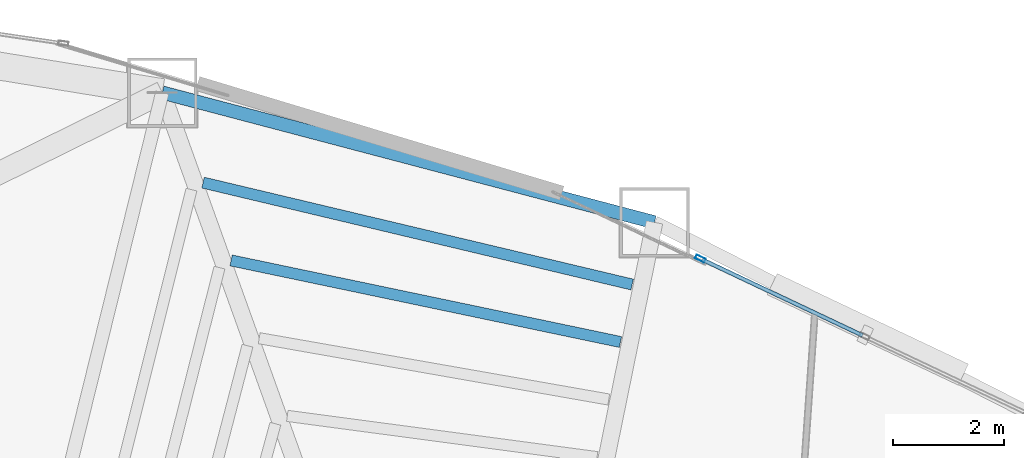
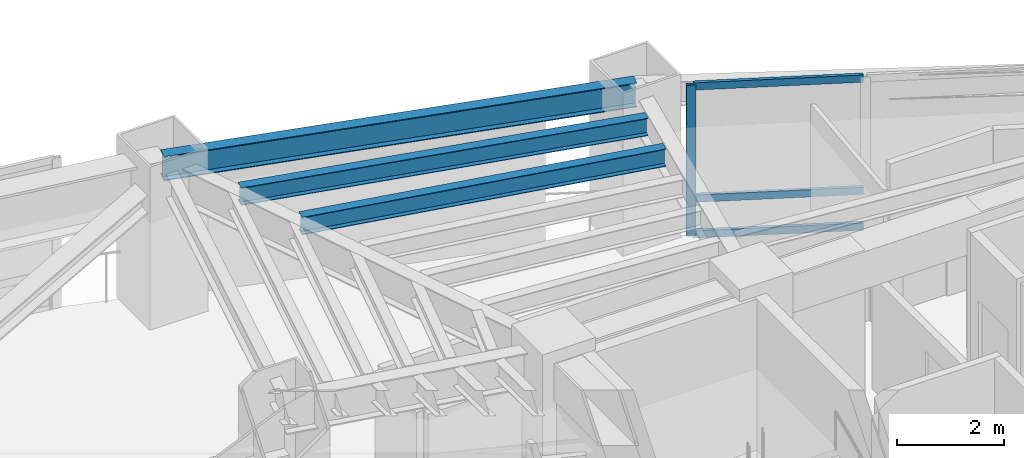
# One storey, part 15 of 25: 4 members, 3 beams, 1 element without a shape of its own.
"""IFC4 building model written with IfcOpenShell, lengths in metres."""

from ifc_helpers import new_model, si_unit, direction, frame, origin, origin_2d, place, context, subcontext, project, spatial, hollow_rectangle, i_section, extrude, material, layer, layer_set, material_profile, profile_set, type_object, element, aggregate, save


model = new_model("IFC4")

# Units and contexts
model_context = context("Model", 3, precision=1e-05, world=origin(), true_north=direction((0.0, 1.0)))
body_context = subcontext(model_context, "Body", "Model", "MODEL_VIEW")
ifc_project = project(units=[si_unit("LENGTHUNIT", "METRE"), si_unit("AREAUNIT", "SQUARE_METRE"), si_unit("VOLUMEUNIT", "CUBIC_METRE"), si_unit("PLANEANGLEUNIT", "RADIAN"), si_unit("MASSUNIT", "GRAM", prefix="KILO")], contexts=[model_context])

# Site, building, storey
site_placement = place(None, origin())
site = spatial("IfcSite", under=ifc_project, at=site_placement, CompositionType="ELEMENT")
building_placement = place(site_placement, origin())
building = spatial("IfcBuilding", under=site, at=building_placement, Name="Menara Vayukalpa", CompositionType="ELEMENT")
storey_placement = place(building_placement, frame((0.0, 0.0, 115.139892578125)))
storey = spatial("IfcBuildingStorey", under=building, at=storey_placement, Name="L28", CompositionType="ELEMENT", Elevation=115.139892578125)

# Beams
ifc_material_1 = material(Name="Steel S355", Category="steel")
ifc_material_profile_1 = material_profile(ifc_material_1, i_section(OverallWidth=0.199951171875, OverallDepth=0.39990234375, WebThickness=0.008056640625, FlangeThickness=0.012939453125, at=origin_2d()), Name="WF 400x200x8x13")
ifc_profile_set_1 = profile_set([ifc_material_profile_1], Name="Steel S355")
beam_type_1 = type_object("IfcBeamType", Name="BM-SJ2", PredefinedType="JOIST", material=ifc_profile_set_1)
beam_1_placement = place(storey_placement, frame((22.797119140625, 31.318603515625, 3.239990234375), z_axis=(-0.978749487369, 0.205059603471, 0.0), x_axis=(-0.205059603471, -0.978749487369, 0.0)))
element("IfcBeam", 1, at=beam_1_placement, inside=storey, type_object=beam_type_1, Name="L28 Secondary Floor Joist SJ03-4", PredefinedType="JOIST", context=body_context, shape_type="SweptSolid", body=[
    extrude(i_section(OverallWidth=0.199951171875, OverallDepth=0.39990234375, WebThickness=0.008056640625, FlangeThickness=0.012939453125, at=origin_2d()), origin(), (0.0, 0.0, 1.0), 7.1435546875),
])
beam_2_placement = place(storey_placement, frame((23.00732421875, 32.3505859375, 3.239990234375), z_axis=(-0.97293603101, 0.231074619036, 0.0), x_axis=(-0.231074619036, -0.97293603101, 0.0)))
element("IfcBeam", 2, at=beam_2_placement, inside=storey, type_object=beam_type_1, Name="L28 Secondary Floor Joist SJ03-5", PredefinedType="JOIST", context=body_context, shape_type="SweptSolid", body=[
    extrude(i_section(OverallWidth=0.199951171875, OverallDepth=0.39990234375, WebThickness=0.008056640625, FlangeThickness=0.012939453125, at=origin_2d()), origin(), (0.0, 0.0, 1.0), 7.9208984375),
])
ifc_material_2 = material(Name="Steel S355", Category="steel")
ifc_material_profile_2 = material_profile(ifc_material_2, i_section(OverallWidth=0.239990234375, OverallDepth=0.550048828125, WebThickness=0.010986328125, FlangeThickness=0.01904296875, at=origin_2d()), Name="WF 550x240x11x19")
ifc_profile_set_2 = profile_set([ifc_material_profile_2], Name="Steel S355")
beam_type_2 = type_object("IfcBeamType", Name="BM-SP2", PredefinedType="SPANDREL", material=ifc_profile_set_2)
beam_3_placement = place(storey_placement, frame((23.408203125, 33.46728515625, 3.1650390625), z_axis=(-0.966966857313, 0.254902131921, 0.0), x_axis=(-0.254902131921, -0.966966857313, 0.0)))
element("IfcBeam", 3, at=beam_3_placement, inside=storey, type_object=beam_type_2, Name="L28 Perimeter Spandrel Beam SP03", PredefinedType="SPANDREL", context=body_context, shape_type="SweptSolid", body=[
    extrude(i_section(OverallWidth=0.239990234375, OverallDepth=0.550048828125, WebThickness=0.010986328125, FlangeThickness=0.01904296875, at=origin_2d()), origin(), (0.0, 0.0, 1.0), 9.14111328125),
])

# Curtain wall, members
ifc_material_3 = material(Name="Anodised Terracotta Aluminium Alloy 6063-T6", Category="masonry")
ifc_layer = layer(ifc_material_3, 0.179931640625)
ifc_layer_set = layer_set([ifc_layer], Name="Anodised Terracotta Aluminium Alloy 6063-T6")
curtain_wall_type = type_object("IfcCurtainWallType", Name="CW-CW4", PredefinedType="USERDEFINED", material=ifc_layer_set)
curtain_wall_placement = place(storey_placement, origin())
curtain_wall = element("IfcCurtainWall", 4, at=curtain_wall_placement, inside=storey, type_object=curtain_wall_type, Name="L28 Sky Bar Cantilever Glazed Curtain Wall CW4 05", ObjectType="UNITISED", PredefinedType="USERDEFINED")
ifc_material_4 = material(Name="Anodised Terracotta Aluminium Alloy 6063-T6", Category="masonry")
ifc_material_profile_3 = material_profile(ifc_material_4, hollow_rectangle(XDim=0.074951171875, YDim=0.179931640625, WallThickness=0.00390625, at=origin_2d()), Name="ALU 75x180x4")
ifc_profile_set_3 = profile_set([ifc_material_profile_3], Name="Anodised Terracotta Aluminium Alloy 6063-T6")
member_type_1 = type_object("IfcMemberType", Name="CWM-CW4", PredefinedType="MULLION", material=ifc_profile_set_3)
member_1_placement = place(storey_placement, frame((24.230712890625, 32.815185546875, 0.0), z_axis=(0.0, 0.0, 1.0), x_axis=(-0.427870715016, -0.903839947796, 0.0)))
member_1 = element("IfcMember", 5, at=member_1_placement, type_object=member_type_1, Name="CW4 mullion 3", PredefinedType="MULLION", context=body_context, shape_type="SweptSolid", body=[
    extrude(hollow_rectangle(XDim=0.074951171875, YDim=0.179931640625, WallThickness=0.00390625, at=origin_2d()), origin(), (0.0, 0.0, 1.0), 3.440185546875),
])
ifc_material_5 = material(Name="Anodised Terracotta Aluminium Alloy 6063-T6", Category="masonry")
ifc_material_profile_4 = material_profile(ifc_material_5, hollow_rectangle(XDim=0.070068359375, YDim=0.1650390625, WallThickness=0.00390625, at=origin_2d()), Name="ALU 70x165x4")
ifc_profile_set_4 = profile_set([ifc_material_profile_4], Name="Anodised Terracotta Aluminium Alloy 6063-T6")
member_type_2 = type_object("IfcMemberType", Name="CWT-CW4", PredefinedType="USERDEFINED", material=ifc_profile_set_4)
member_2_placement = place(storey_placement, frame((27.14501953125, 31.435546875, 0.03515625), z_axis=(-0.903842327128, 0.427865688846, 0.0), x_axis=(-0.427865688846, -0.903842327128, 0.0)))
member_2 = element("IfcMember", 6, at=member_2_placement, type_object=member_type_2, Name="CW4 transom 2.1", ObjectType="TRANSOM", PredefinedType="USERDEFINED", context=body_context, shape_type="SweptSolid", body=[
    extrude(hollow_rectangle(XDim=0.070068359375, YDim=0.1650390625, WallThickness=0.00390625, at=origin_2d()), origin(), (0.0, 0.0, 1.0), 3.186767578125),
])
member_3_placement = place(storey_placement, frame((27.14501953125, 31.435546875, 0.85009765625), z_axis=(-0.903842327128, 0.427865688846, 0.0), x_axis=(-0.427865688846, -0.903842327128, 0.0)))
member_3 = element("IfcMember", 7, at=member_3_placement, type_object=member_type_2, Name="CW4 transom 2.2", ObjectType="TRANSOM", PredefinedType="USERDEFINED", context=body_context, shape_type="SweptSolid", body=[
    extrude(hollow_rectangle(XDim=0.070068359375, YDim=0.1650390625, WallThickness=0.00390625, at=origin_2d()), origin(), (0.0, 0.0, 1.0), 3.186767578125),
])
member_4_placement = place(storey_placement, frame((27.14501953125, 31.435546875, 3.405029296875), z_axis=(-0.903842327128, 0.427865688846, 0.0), x_axis=(-0.427865688846, -0.903842327128, 0.0)))
member_4 = element("IfcMember", 8, at=member_4_placement, type_object=member_type_2, Name="CW4 transom 2.3", ObjectType="TRANSOM", PredefinedType="USERDEFINED", context=body_context, shape_type="SweptSolid", body=[
    extrude(hollow_rectangle(XDim=0.070068359375, YDim=0.1650390625, WallThickness=0.00390625, at=origin_2d()), origin(), (0.0, 0.0, 1.0), 3.186767578125),
])
aggregate(curtain_wall, [member_1, member_2, member_3, member_4])

save(model, "model.ifc")
